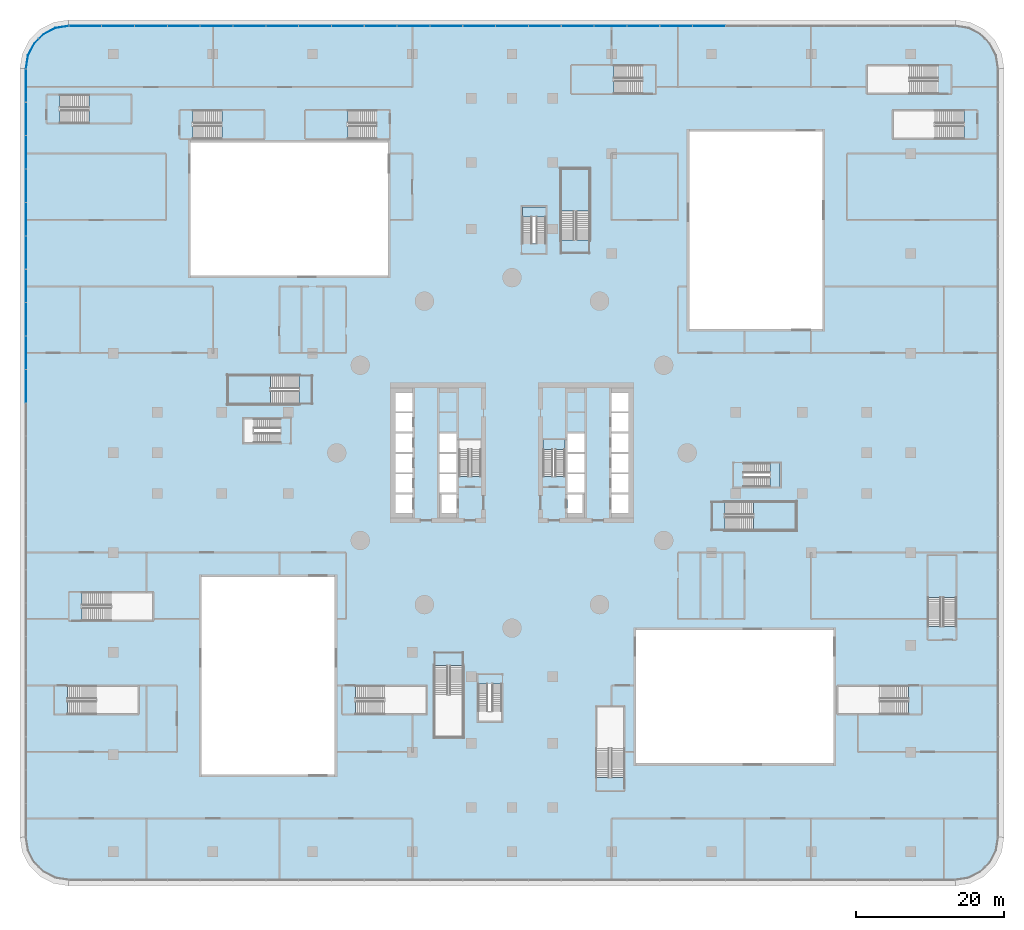
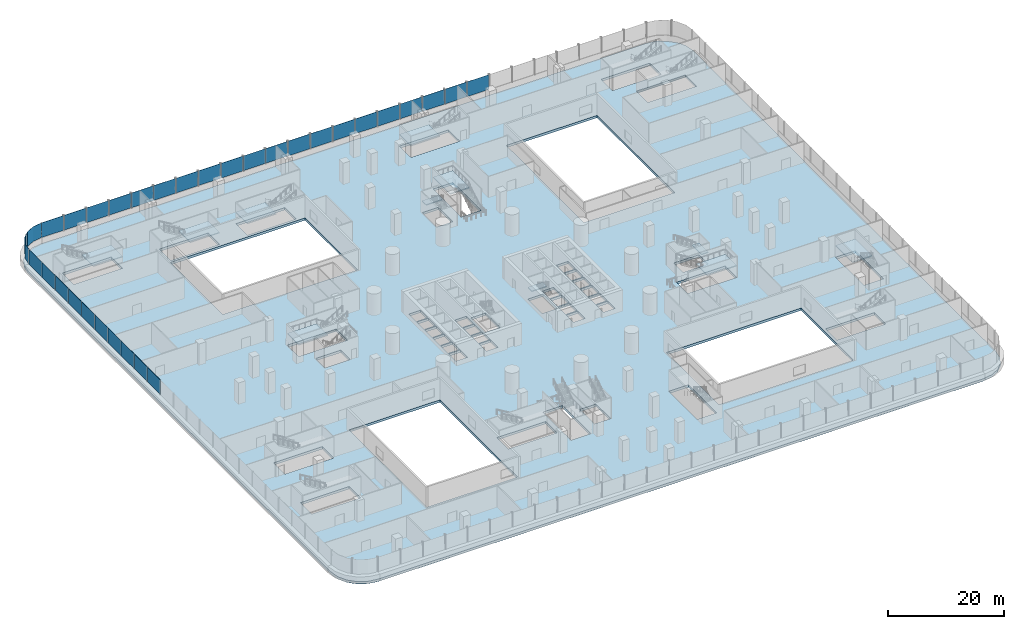
# One storey, part 22 of 44: 32 plates, 12 slabs, 14 elements without a shape of their own.
"""IFC4 building model written with IfcOpenShell, lengths in metres."""

import ifcopenshell
import ifcopenshell.guid

model = None  # the IFC model being written
_history = None  # IfcOwnerHistory: only IFC2X3 demands one
_inside = {}  # id of a spatial element -> (the spatial element, [elements in it])
_under = {}  # id of a project, library or spatial element -> (it, [spatial elements below it])
_declared = {}  # id of a project -> (the project, [libraries it declares])
_typed = {}  # id of a type object -> (the type object, [elements of that type])
_made_of = {}  # id of a material, layer set ... -> (it, [elements and type objects made of it])


def new_model(schema):
    """Start an empty IFC model of exactly this schema.

    Asked for "IFC4X3", IfcOpenShell would pick the latest addendum, in which some entities
    have other attributes; the version numbers below select the first issue.
    IFC2X3 requires an IfcOwnerHistory on every rooted entity: one is made here for all.
    """
    global model, _history
    if schema == "IFC4X3":
        model = ifcopenshell.file(schema_version=(4, 3, 0, 0))
    else:
        model = ifcopenshell.file(schema=schema)
    _inside.clear()
    _under.clear()
    _declared.clear()
    _typed.clear()
    _made_of.clear()
    _history = None
    if model.schema == "IFC2X3":
        org = make("IfcOrganization", Name="unknown")
        user = make(
            "IfcPersonAndOrganization",
            ThePerson=make("IfcPerson", FamilyName="unknown"),
            TheOrganization=org,
        )
        app = make(
            "IfcApplication",
            ApplicationDeveloper=org,
            Version="unknown",
            ApplicationFullName="unknown",
            ApplicationIdentifier="unknown",
        )
        _history = make(
            "IfcOwnerHistory",
            OwningUser=user,
            OwningApplication=app,
            ChangeAction="ADDED",
            CreationDate=0,
        )
    return model


def make(cls, **values):
    """One entity of the class cls with the attributes given. An attribute that is None is left unset."""
    return model.create_entity(
        cls, **{name: value for name, value in values.items() if value is not None}
    )


def rooted(cls, **values):
    """An entity with a GlobalId (a new one), such as an element, a storey or a relation."""
    return make(cls, GlobalId=ifcopenshell.guid.new(), OwnerHistory=_history, **values)


def si_unit(unit_type, name, prefix=None):
    """IfcSIUnit, for example si_unit("LENGTHUNIT", "METRE", prefix="MILLI")."""
    return make("IfcSIUnit", UnitType=unit_type, Prefix=prefix, Name=name)


def assignment(units):
    """IfcUnitAssignment: the units of a project."""
    return None if units is None else make("IfcUnitAssignment", Units=units)


def point(xyz):
    """IfcCartesianPoint."""
    return None if xyz is None else make("IfcCartesianPoint", Coordinates=xyz)


def direction(xyz):
    """IfcDirection."""
    return None if xyz is None else make("IfcDirection", DirectionRatios=xyz)


def frame(location, z_axis=None, x_axis=None):
    """IfcAxis2Placement3D, a coordinate frame: its origin and axes. An axis left out is left unset."""
    return make(
        "IfcAxis2Placement3D",
        Location=point(location),
        Axis=direction(z_axis),
        RefDirection=direction(x_axis),
    )


def origin():
    """The frame at (0, 0, 0) with its axes left unset."""
    return frame((0.0, 0.0, 0.0))


def place(relative_to, where):
    """IfcLocalPlacement: puts the frame where relative to a parent placement (None: the world)."""
    return make(
        "IfcLocalPlacement", PlacementRelTo=relative_to, RelativePlacement=where
    )


def context(
    kind, dimensions, precision=None, world=None, true_north=None, identifier=None
):
    """IfcGeometricRepresentationContext, for example the 3D "Model" context."""
    return make(
        "IfcGeometricRepresentationContext",
        ContextIdentifier=identifier,
        ContextType=kind,
        CoordinateSpaceDimension=dimensions,
        Precision=precision,
        WorldCoordinateSystem=world,
        TrueNorth=true_north,
    )


def subcontext(parent, identifier, kind, view, scale=None):
    """IfcGeometricRepresentationSubContext, for example "Body" below "Model"."""
    return make(
        "IfcGeometricRepresentationSubContext",
        ContextIdentifier=identifier,
        ContextType=kind,
        ParentContext=parent,
        TargetScale=scale,
        TargetView=view,
    )


def project(units=None, contexts=None):
    """IfcProject with its units and contexts."""
    return rooted(
        "IfcProject",
        Name="project",
        RepresentationContexts=contexts,
        UnitsInContext=assignment(units),
    )


def spatial(cls, under=None, at=None, **own):
    """A site, building, storey or space (cls), placed at a placement, below another one or the project."""
    s = rooted(cls, ObjectPlacement=at, **own)
    if under is not None:
        _under.setdefault(under.id(), (under, []))[1].append(s)
    return s


def polyline(points):
    """IfcPolyline through the points."""
    return make("IfcPolyline", Points=[point(p) for p in points])


def outline(outer, holes=None, kind="AREA"):
    """IfcArbitraryClosedProfileDef: a profile drawn as a closed curve; with holes, ...WithVoids."""
    if holes is None:
        return make("IfcArbitraryClosedProfileDef", ProfileType=kind, OuterCurve=outer)
    return make(
        "IfcArbitraryProfileDefWithVoids",
        ProfileType=kind,
        OuterCurve=outer,
        InnerCurves=holes,
    )


def extrude(swept, where, along, depth):
    """IfcExtrudedAreaSolid: the profile swept, set in the frame where, extruded along a direction by depth."""
    return make(
        "IfcExtrudedAreaSolid",
        SweptArea=swept,
        Position=where,
        ExtrudedDirection=direction(along),
        Depth=depth,
    )


def shape(context_of_items, identifier, shape_type, items):
    """IfcShapeRepresentation: the items that make up one representation, for example the "Body"."""
    return make(
        "IfcShapeRepresentation",
        ContextOfItems=context_of_items,
        RepresentationIdentifier=identifier,
        RepresentationType=shape_type,
        Items=items,
    )


def material(Name=None, Category=None):
    """IfcMaterial."""
    return make("IfcMaterial", Name=Name, Category=Category)


def layer(
    of_material, thickness, ventilated=None, Name=None, Category=None, Priority=None
):
    """IfcMaterialLayer: one layer of a wall or slab, of a material (None: an air gap)."""
    return make(
        "IfcMaterialLayer",
        Material=of_material,
        LayerThickness=thickness,
        IsVentilated=ventilated,
        Name=Name,
        Category=Category,
        Priority=Priority,
    )


def layer_set(layers, Name=None):
    """IfcMaterialLayerSet."""
    return make("IfcMaterialLayerSet", MaterialLayers=layers, LayerSetName=Name)


def made_of(thing, what):
    """Note that an element or type object is made of a material, layer set ...; save() writes the relation."""
    if what is not None:
        _made_of.setdefault(what.id(), (what, []))[1].append(thing)
    return thing


def type_object(cls, material=None, **own):
    """A type object (cls), such as IfcWallType, which elements share."""
    return made_of(rooted(cls, **own), material)


def element(
    cls,
    number,
    at=None,
    inside=None,
    cuts=None,
    type_object=None,
    material=None,
    context=None,
    identifier="Body",
    shape_type=None,
    held_by="IfcProductDefinitionShape",
    body=None,
    shapes=None,
    **own,
):
    """One element of the class cls, such as IfcWall. Its Tag is "e" and its number.

    at: its placement. inside: the storey or other place that contains it. cuts: it is an
    opening in that element (IfcRelVoidsElement). A single representation is given by context,
    identifier, shape_type and body (its items); several are given by shapes. held_by: the class
    of the entity that holds the representations. save() writes the other relations.
    """
    e = rooted(cls, Tag="e%d" % number, ObjectPlacement=at, **own)
    if body is not None:
        shapes = [shape(context, identifier, shape_type, body)]
    if shapes is not None:
        e.Representation = make(held_by, Representations=shapes)
    if inside is not None:
        _inside.setdefault(inside.id(), (inside, []))[1].append(e)
    if cuts is not None:
        rooted(
            "IfcRelVoidsElement", RelatingBuildingElement=cuts, RelatedOpeningElement=e
        )
    if type_object is not None:
        _typed.setdefault(type_object.id(), (type_object, []))[1].append(e)
    return made_of(e, material)


def aggregate(whole, parts):
    """IfcRelAggregates: a whole, such as a stair, and the parts it consists of."""
    return rooted("IfcRelAggregates", RelatingObject=whole, RelatedObjects=parts)


def save(model, path):
    """Write the relations noted so far, then the file.

    IfcRelAggregates (storeys below a building ...), IfcRelContainedInSpatialStructure (elements
    in a storey), IfcRelDefinesByType, IfcRelAssociatesMaterial and IfcRelDeclares: one each for
    every whole, place, type object, material and project.
    """
    for whole, parts in _under.values():
        aggregate(whole, parts)
    for where, things in _inside.values():
        rooted(
            "IfcRelContainedInSpatialStructure",
            RelatedElements=things,
            RelatingStructure=where,
        )
    for kind, things in _typed.values():
        rooted("IfcRelDefinesByType", RelatedObjects=things, RelatingType=kind)
    for what, things in _made_of.values():
        rooted("IfcRelAssociatesMaterial", RelatedObjects=things, RelatingMaterial=what)
    for by, libraries in _declared.values():
        rooted("IfcRelDeclares", RelatingContext=by, RelatedDefinitions=libraries)
    model.write(path)


model = new_model("IFC4")

# Units and contexts
model_context = context("Model", 3, precision=1e-05, world=origin(), true_north=direction((0.0, 1.0)))
body_context = subcontext(model_context, "Body", "Model", "MODEL_VIEW")
ifc_project = project(units=[si_unit("LENGTHUNIT", "METRE"), si_unit("AREAUNIT", "SQUARE_METRE"), si_unit("VOLUMEUNIT", "CUBIC_METRE"), si_unit("PLANEANGLEUNIT", "RADIAN"), si_unit("MASSUNIT", "GRAM", prefix="KILO")], contexts=[model_context])

# Site, building, storey
site_placement = place(None, origin())
site = spatial("IfcSite", under=ifc_project, at=site_placement, CompositionType="ELEMENT")
building_placement = place(site_placement, origin())
building = spatial("IfcBuilding", under=site, at=building_placement, Name="Tamarind Cross Interchange Tower", CompositionType="ELEMENT")
storey_placement = place(building_placement, frame((0.0, 0.0, 15.0)))
storey = spatial("IfcBuildingStorey", under=building, at=storey_placement, Name="L02", CompositionType="ELEMENT", Elevation=15.0)

# Slab
ifc_material_1 = material(Name="Concrete C40", Category="concrete")
ifc_layer_1 = layer(ifc_material_1, 0.5)
ifc_layer_set_1 = layer_set([ifc_layer_1], Name="Concrete C40")
slab_type_1 = type_object("IfcSlabType", Name="Post-tensioned flat slab 500 Concrete C40", PredefinedType="FLOOR", material=ifc_layer_set_1)
slab_1_placement = place(storey_placement, frame((0.0, 0.0, -0.5)))
element("IfcSlab", 1, at=slab_1_placement, inside=storey, type_object=slab_type_1, Name="Floor slab L02", PredefinedType="FLOOR", context=body_context, shape_type="SweptSolid", body=[
    extrude(outline(polyline([(-61.85400390625, -57.706298828125), (-60.0, -58.0), (60.0, -58.0), (61.85400390625, -57.706298828125), (63.526611328125, -56.85400390625), (64.85400390625, -55.526611328125), (65.706298828125, -53.85400390625), (66.0, -52.0), (66.0, 52.0), (65.706298828125, 53.85400390625), (64.85400390625, 55.526611328125), (63.526611328125, 56.85400390625), (61.85400390625, 57.706298828125), (60.0, 58.0), (-60.0, 58.0), (-61.85400390625, 57.706298828125), (-63.526611328125, 56.85400390625), (-64.85400390625, 55.526611328125), (-65.706298828125, 53.85400390625), (-66.0, 52.0), (-66.0, -52.0), (-65.706298828125, -53.85400390625), (-64.85400390625, -55.526611328125), (-63.526611328125, -56.85400390625), (-61.85400390625, -57.706298828125)]), holes=[polyline([(-50.5, -35.39990234375), (-60.18798828125, -35.39990234375), (-60.18798828125, -31.5), (-50.5, -31.5), (-50.5, -35.39990234375)]), polyline([(-11.5, -35.39990234375), (-21.18798828125, -35.39990234375), (-21.18798828125, -31.5), (-11.5, -31.5), (-11.5, -35.39990234375)]), polyline([(-42.0, -43.5), (-42.0, -16.800048828125), (-24.0, -16.800048828125), (-24.0, -43.5), (-42.0, -43.5)]), polyline([(-58.18798828125, -22.75), (-58.18798828125, -18.85009765625), (-48.5, -18.85009765625), (-48.5, -22.75), (-58.18798828125, -22.75)]), polyline([(-15.800048828125, -8.125), (-15.800048828125, -5.625), (-13.5, -5.625), (-13.5, -8.125), (-15.800048828125, -8.125)]), polyline([(-13.5, -5.375), (-15.800048828125, -5.375), (-15.800048828125, -2.875), (-13.5, -2.875), (-13.5, -5.375)]), polyline([(-15.800048828125, -2.625), (-15.800048828125, -0.125), (-13.5, -0.125), (-13.5, -2.625), (-15.800048828125, -2.625)]), polyline([(-15.800048828125, 0.125), (-15.800048828125, 2.625), (-13.5, 2.625), (-13.5, 0.125), (-15.800048828125, 0.125)]), polyline([(-31.31201171875, 1.39990234375), (-36.300048828125, 1.39990234375), (-36.300048828125, 4.60009765625), (-31.31201171875, 4.60009765625), (-31.31201171875, 1.39990234375)]), polyline([(-15.800048828125, 2.875), (-15.800048828125, 5.375), (-13.5, 5.375), (-13.5, 2.875), (-15.800048828125, 2.875)]), polyline([(-15.800048828125, 5.625), (-15.800048828125, 8.125), (-13.5, 8.125), (-13.5, 5.625), (-15.800048828125, 5.625)]), polyline([(-38.5, 10.5), (-28.81201171875, 10.5), (-28.81201171875, 6.60009765625), (-38.5, 6.60009765625), (-38.5, 10.5)]), polyline([(-43.5, 42.0), (-16.800048828125, 42.0), (-16.800048828125, 24.0), (-43.5, 24.0), (-43.5, 42.0)]), polyline([(-43.18798828125, 42.5), (-43.18798828125, 46.39990234375), (-33.5, 46.39990234375), (-33.5, 42.5), (-43.18798828125, 42.5)]), polyline([(-28.0, 46.39990234375), (-18.31201171875, 46.39990234375), (-18.31201171875, 42.5), (-28.0, 42.5), (-28.0, 46.39990234375)]), polyline([(-61.18798828125, 44.60009765625), (-61.18798828125, 48.5), (-51.5, 48.5), (-51.5, 44.60009765625), (-61.18798828125, 44.60009765625)]), polyline([(15.25, -43.93798828125), (11.35009765625, -43.93798828125), (11.35009765625, -34.25), (15.25, -34.25), (15.25, -43.93798828125)]), polyline([(-1.39990234375, -31.31201171875), (-1.39990234375, -36.300048828125), (-4.60009765625, -36.300048828125), (-4.60009765625, -31.31201171875), (-1.39990234375, -31.31201171875)]), polyline([(-10.5, -28.81201171875), (-6.60009765625, -28.81201171875), (-6.60009765625, -38.5), (-10.5, -38.5), (-10.5, -28.81201171875)]), polyline([(-9.800048828125, -8.125), (-9.800048828125, -5.625), (-7.5, -5.625), (-7.5, -8.125), (-9.800048828125, -8.125)]), polyline([(7.5, -5.625), (9.800048828125, -5.625), (9.800048828125, -8.125), (7.5, -8.125), (7.5, -5.625)]), polyline([(-9.800048828125, -5.375), (-9.800048828125, -2.875), (-7.5, -2.875), (-7.5, -5.375), (-9.800048828125, -5.375)]), polyline([(9.800048828125, -2.875), (9.800048828125, -5.375), (7.5, -5.375), (7.5, -2.875), (9.800048828125, -2.875)]), polyline([(-7.5, -2.625), (-9.800048828125, -2.625), (-9.800048828125, -0.125), (-7.5, -0.125), (-7.5, -2.625)]), polyline([(7.5, -0.125), (9.800048828125, -0.125), (9.800048828125, -2.625), (7.5, -2.625), (7.5, -0.125)]), polyline([(-4.199951171875, 1.800048828125), (-4.199951171875, -3.18798828125), (-7.14990234375, -3.18798828125), (-7.14990234375, 1.800048828125), (-4.199951171875, 1.800048828125)]), polyline([(7.14990234375, -3.18798828125), (4.199951171875, -3.18798828125), (4.199951171875, 1.800048828125), (7.14990234375, 1.800048828125), (7.14990234375, -3.18798828125)]), polyline([(-9.800048828125, 0.125), (-9.800048828125, 2.625), (-7.5, 2.625), (-7.5, 0.125), (-9.800048828125, 0.125)]), polyline([(7.5, 2.625), (9.800048828125, 2.625), (9.800048828125, 0.125), (7.5, 0.125), (7.5, 2.625)]), polyline([(1.39990234375, 33.300048828125), (4.60009765625, 33.300048828125), (4.60009765625, 28.31201171875), (1.39990234375, 28.31201171875), (1.39990234375, 33.300048828125)]), polyline([(10.5, 28.81201171875), (6.60009765625, 28.81201171875), (6.60009765625, 38.5), (10.5, 38.5), (10.5, 28.81201171875)]), polyline([(8.0, 52.5), (17.68798828125, 52.5), (17.68798828125, 48.60009765625), (8.0, 48.60009765625), (8.0, 52.5)]), polyline([(53.68798828125, -31.5), (53.68798828125, -35.39990234375), (44.0, -35.39990234375), (44.0, -31.5), (53.68798828125, -31.5)]), polyline([(16.800048828125, -24.0), (43.5, -24.0), (43.5, -42.0), (16.800048828125, -42.0), (16.800048828125, -24.0)]), polyline([(60.14990234375, -13.800048828125), (60.14990234375, -23.488037109375), (56.25, -23.488037109375), (56.25, -13.800048828125), (60.14990234375, -13.800048828125)]), polyline([(28.81201171875, -10.5), (28.81201171875, -6.60009765625), (38.5, -6.60009765625), (38.5, -10.5), (28.81201171875, -10.5)]), polyline([(15.800048828125, -5.625), (15.800048828125, -8.125), (13.5, -8.125), (13.5, -5.625), (15.800048828125, -5.625)]), polyline([(13.5, -2.875), (15.800048828125, -2.875), (15.800048828125, -5.375), (13.5, -5.375), (13.5, -2.875)]), polyline([(36.300048828125, -1.39990234375), (36.300048828125, -4.60009765625), (31.31201171875, -4.60009765625), (31.31201171875, -1.39990234375), (36.300048828125, -1.39990234375)]), polyline([(15.800048828125, -0.125), (15.800048828125, -2.625), (13.5, -2.625), (13.5, -0.125), (15.800048828125, -0.125)]), polyline([(13.5, 2.625), (15.800048828125, 2.625), (15.800048828125, 0.125), (13.5, 0.125), (13.5, 2.625)]), polyline([(15.800048828125, 5.375), (15.800048828125, 2.875), (13.5, 2.875), (13.5, 5.375), (15.800048828125, 5.375)]), polyline([(15.800048828125, 8.125), (15.800048828125, 5.625), (13.5, 5.625), (13.5, 8.125), (15.800048828125, 8.125)]), polyline([(24.0, 16.800048828125), (24.0, 43.5), (42.0, 43.5), (42.0, 16.800048828125), (24.0, 16.800048828125)]), polyline([(61.18798828125, 46.39990234375), (61.18798828125, 42.5), (51.5, 42.5), (51.5, 46.39990234375), (61.18798828125, 46.39990234375)]), polyline([(57.68798828125, 52.5), (57.68798828125, 48.60009765625), (48.0, 48.60009765625), (48.0, 52.5), (57.68798828125, 52.5)])]), origin(), (0.0, 0.0, 1.0), 0.5),
])

# Stair, slab
ifc_material_2 = material(Name="Public stair")
stair_type_1 = type_object("IfcStairType", Name="Public stair", PredefinedType="HALF_TURN_STAIR", material=ifc_material_2)
stair_1_placement = place(storey_placement, origin())
stair_1 = element("IfcStair", 2, at=stair_1_placement, inside=storey, type_object=stair_type_1, Name="L02 public stair PS-E", PredefinedType="HALF_TURN_STAIR")
ifc_layer_2 = layer(ifc_material_1, 0.199951171875)
ifc_layer_set_2 = layer_set([ifc_layer_2], Name="Concrete C40")
slab_type_2 = type_object("IfcSlabType", Name="Public stair landing", PredefinedType="LANDING", material=ifc_layer_set_2)
slab_2_placement = place(storey_placement, frame((0.0, 0.0, 2.300048828125)))
slab_2 = element("IfcSlab", 3, at=slab_2_placement, type_object=slab_type_2, Name="PS-E landing 1", PredefinedType="LANDING", context=body_context, shape_type="SweptSolid", body=[
    extrude(outline(polyline([(32.719970703125, -10.5), (38.5, -10.5), (38.5, -6.60009765625), (32.719970703125, -6.60009765625), (32.719970703125, -10.5)])), origin(), (0.0, 0.0, 1.0), 0.199951171875),
])
aggregate(stair_1, [slab_2])

stair_2_placement = place(storey_placement, origin())
stair_2 = element("IfcStair", 4, at=stair_2_placement, inside=storey, type_object=stair_type_1, Name="L02 public stair PS-W", PredefinedType="HALF_TURN_STAIR")
slab_3_placement = place(storey_placement, frame((0.0, 0.0, 2.300048828125)))
slab_3 = element("IfcSlab", 5, at=slab_3_placement, type_object=slab_type_2, Name="PS-W landing 1", PredefinedType="LANDING", context=body_context, shape_type="SweptSolid", body=[
    extrude(outline(polyline([(-32.719970703125, 10.5), (-38.5, 10.5), (-38.5, 6.60009765625), (-32.719970703125, 6.60009765625), (-32.719970703125, 10.5)])), origin(), (0.0, 0.0, 1.0), 0.199951171875),
])
aggregate(stair_2, [slab_3])

stair_3_placement = place(storey_placement, origin())
stair_3 = element("IfcStair", 6, at=stair_3_placement, inside=storey, type_object=stair_type_1, Name="L02 public stair PS-N", PredefinedType="HALF_TURN_STAIR")
slab_4_placement = place(storey_placement, frame((0.0, 0.0, 2.300048828125)))
slab_4 = element("IfcSlab", 7, at=slab_4_placement, type_object=slab_type_2, Name="PS-N landing 1", PredefinedType="LANDING", context=body_context, shape_type="SweptSolid", body=[
    extrude(outline(polyline([(10.5, 32.719970703125), (10.5, 38.5), (6.60009765625, 38.5), (6.60009765625, 32.719970703125), (10.5, 32.719970703125)])), origin(), (0.0, 0.0, 1.0), 0.199951171875),
])
aggregate(stair_3, [slab_4])

stair_4_placement = place(storey_placement, origin())
stair_4 = element("IfcStair", 8, at=stair_4_placement, inside=storey, type_object=stair_type_1, Name="L02 exit stair XS-P03", PredefinedType="HALF_TURN_STAIR")
slab_5_placement = place(storey_placement, frame((0.0, 0.0, 2.300048828125)))
slab_5 = element("IfcSlab", 9, at=slab_5_placement, type_object=slab_type_2, Name="XS-P03 landing 1", PredefinedType="LANDING", context=body_context, shape_type="SweptSolid", body=[
    extrude(outline(polyline([(13.780029296875, 52.5), (8.0, 52.5), (8.0, 48.60009765625), (13.780029296875, 48.60009765625), (13.780029296875, 52.5)])), origin(), (0.0, 0.0, 1.0), 0.199951171875),
])
aggregate(stair_4, [slab_5])

stair_5_placement = place(storey_placement, origin())
stair_5 = element("IfcStair", 10, at=stair_5_placement, inside=storey, type_object=stair_type_1, Name="L02 exit stair XS-P04", PredefinedType="HALF_TURN_STAIR")
slab_6_placement = place(storey_placement, frame((0.0, 0.0, 2.300048828125)))
slab_6 = element("IfcSlab", 11, at=slab_6_placement, type_object=slab_type_2, Name="XS-P04 landing 1", PredefinedType="LANDING", context=body_context, shape_type="SweptSolid", body=[
    extrude(outline(polyline([(-39.280029296875, 42.5), (-33.5, 42.5), (-33.5, 46.39990234375), (-39.280029296875, 46.39990234375), (-39.280029296875, 42.5)])), origin(), (0.0, 0.0, 1.0), 0.199951171875),
])
aggregate(stair_5, [slab_6])

stair_6_placement = place(storey_placement, origin())
stair_6 = element("IfcStair", 12, at=stair_6_placement, inside=storey, type_object=stair_type_1, Name="L02 exit stair XS-P05", PredefinedType="HALF_TURN_STAIR")
slab_7_placement = place(storey_placement, frame((0.0, 0.0, 2.300048828125)))
slab_7 = element("IfcSlab", 13, at=slab_7_placement, type_object=slab_type_2, Name="XS-P05 landing 1", PredefinedType="LANDING", context=body_context, shape_type="SweptSolid", body=[
    extrude(outline(polyline([(-57.280029296875, 44.60009765625), (-51.5, 44.60009765625), (-51.5, 48.5), (-57.280029296875, 48.5), (-57.280029296875, 44.60009765625)])), origin(), (0.0, 0.0, 1.0), 0.199951171875),
])
aggregate(stair_6, [slab_7])

stair_7_placement = place(storey_placement, origin())
stair_7 = element("IfcStair", 14, at=stair_7_placement, inside=storey, type_object=stair_type_1, Name="L02 exit stair XS-P06", PredefinedType="HALF_TURN_STAIR")
slab_8_placement = place(storey_placement, frame((0.0, 0.0, 2.300048828125)))
slab_8 = element("IfcSlab", 15, at=slab_8_placement, type_object=slab_type_2, Name="XS-P06 landing 1", PredefinedType="LANDING", context=body_context, shape_type="SweptSolid", body=[
    extrude(outline(polyline([(-22.219970703125, 46.39990234375), (-28.0, 46.39990234375), (-28.0, 42.5), (-22.219970703125, 42.5), (-22.219970703125, 46.39990234375)])), origin(), (0.0, 0.0, 1.0), 0.199951171875),
])
aggregate(stair_7, [slab_8])

stair_8_placement = place(storey_placement, origin())
stair_8 = element("IfcStair", 16, at=stair_8_placement, inside=storey, type_object=stair_type_1, Name="L02 exit stair XS-P11", PredefinedType="HALF_TURN_STAIR")
slab_9_placement = place(storey_placement, frame((0.0, 0.0, 2.300048828125)))
slab_9 = element("IfcSlab", 17, at=slab_9_placement, type_object=slab_type_2, Name="XS-P11 landing 1", PredefinedType="LANDING", context=body_context, shape_type="SweptSolid", body=[
    extrude(outline(polyline([(60.14990234375, -19.580078125), (60.14990234375, -13.800048828125), (56.25, -13.800048828125), (56.25, -19.580078125), (60.14990234375, -19.580078125)])), origin(), (0.0, 0.0, 1.0), 0.199951171875),
])
aggregate(stair_8, [slab_9])

ifc_material_3 = material(Name="Exit stair")
stair_type_2 = type_object("IfcStairType", Name="Exit stair", PredefinedType="HALF_TURN_STAIR", material=ifc_material_3)
stair_9_placement = place(storey_placement, origin())
stair_9 = element("IfcStair", 18, at=stair_9_placement, inside=storey, type_object=stair_type_2, Name="L02 exit stair ST2", PredefinedType="HALF_TURN_STAIR")
ifc_layer_3 = layer(ifc_material_1, 0.199951171875)
ifc_layer_set_3 = layer_set([ifc_layer_3], Name="Concrete C40")
slab_type_3 = type_object("IfcSlabType", Name="Stair landing", PredefinedType="LANDING", material=ifc_layer_set_3)
slab_10_placement = place(storey_placement, frame((0.0, 0.0, 2.300048828125)))
slab_10 = element("IfcSlab", 19, at=slab_10_placement, type_object=slab_type_3, Name="ST2 landing 1", PredefinedType="LANDING", context=body_context, shape_type="SweptSolid", body=[
    extrude(outline(polyline([(7.14990234375, 0.43994140625), (7.14990234375, 1.800048828125), (4.199951171875, 1.800048828125), (4.199951171875, 0.43994140625), (7.14990234375, 0.43994140625)])), origin(), (0.0, 0.0, 1.0), 0.199951171875),
])
aggregate(stair_9, [slab_10])

stair_10_placement = place(storey_placement, origin())
stair_10 = element("IfcStair", 20, at=stair_10_placement, inside=storey, type_object=stair_type_2, Name="L02 exit stair ST3", PredefinedType="HALF_TURN_STAIR")
slab_11_placement = place(storey_placement, frame((0.0, 0.0, 2.300048828125)))
slab_11 = element("IfcSlab", 21, at=slab_11_placement, type_object=slab_type_3, Name="ST3 landing 1", PredefinedType="LANDING", context=body_context, shape_type="SweptSolid", body=[
    extrude(outline(polyline([(34.927978515625, -4.60009765625), (36.300048828125, -4.60009765625), (36.300048828125, -1.39990234375), (34.927978515625, -1.39990234375), (34.927978515625, -4.60009765625)])), origin(), (0.0, 0.0, 1.0), 0.199951171875),
])
aggregate(stair_10, [slab_11])

stair_11_placement = place(storey_placement, origin())
stair_11 = element("IfcStair", 22, at=stair_11_placement, inside=storey, type_object=stair_type_2, Name="L02 exit stair ST4", PredefinedType="HALF_TURN_STAIR")
slab_12_placement = place(storey_placement, frame((0.0, 0.0, 2.300048828125)))
slab_12 = element("IfcSlab", 23, at=slab_12_placement, type_object=slab_type_3, Name="ST4 landing 1", PredefinedType="LANDING", context=body_context, shape_type="SweptSolid", body=[
    extrude(outline(polyline([(4.60009765625, 31.927978515625), (4.60009765625, 33.300048828125), (1.39990234375, 33.300048828125), (1.39990234375, 31.927978515625), (4.60009765625, 31.927978515625)])), origin(), (0.0, 0.0, 1.0), 0.199951171875),
])
aggregate(stair_11, [slab_12])

# Curtain wall, plates
ifc_material_4 = material(Name="Aluminium 6063-T6", Category="aluminium")
ifc_layer_4 = layer(ifc_material_4, 0.199951171875)
ifc_layer_set_4 = layer_set([ifc_layer_4], Name="Aluminium 6063-T6")
curtain_wall_type = type_object("IfcCurtainWallType", Name="Podium shopfront and station curtain wall", PredefinedType="NOTDEFINED", material=ifc_layer_set_4)
curtain_wall_1_placement = place(storey_placement, origin())
curtain_wall_1 = element("IfcCurtainWall", 24, at=curtain_wall_1_placement, inside=storey, type_object=curtain_wall_type, Name="CWS-L02-02", PredefinedType="NOTDEFINED")
ifc_material_5 = material(Name="Toughened low-e glass 10+12+10", Category="glass")
ifc_layer_5 = layer(ifc_material_5, 0.031982421875)
ifc_layer_set_5 = layer_set([ifc_layer_5], Name="Toughened low-e glass 10+12+10")
plate_type = type_object("IfcPlateType", Name="Vision panel CW3", PredefinedType="CURTAIN_PANEL", material=ifc_layer_set_5)
plate_1_placement = place(storey_placement, frame((0.0, 0.0, 1.39990234375)))
plate_1 = element("IfcPlate", 25, at=plate_1_placement, type_object=plate_type, Name="CWP-L02-02-07", PredefinedType="CURTAIN_PANEL", context=body_context, shape_type="SweptSolid", body=[
    extrude(outline(polyline([(28.84130859375, 57.783935546875), (24.47802734375, 57.783935546875), (24.47802734375, 57.81591796875), (28.84130859375, 57.81591796875), (28.84130859375, 57.783935546875)])), origin(), (0.0, 0.0, 1.0), 3.10009765625),
])
plate_2_placement = place(storey_placement, frame((0.0, 0.0, 1.39990234375)))
plate_2 = element("IfcPlate", 26, at=plate_2_placement, type_object=plate_type, Name="CWP-L02-02-08", PredefinedType="CURTAIN_PANEL", context=body_context, shape_type="SweptSolid", body=[
    extrude(outline(polyline([(24.39794921875, 57.783935546875), (20.03466796875, 57.783935546875), (20.03466796875, 57.81591796875), (24.39794921875, 57.81591796875), (24.39794921875, 57.783935546875)])), origin(), (0.0, 0.0, 1.0), 3.10009765625),
])
plate_3_placement = place(storey_placement, frame((0.0, 0.0, 1.39990234375)))
plate_3 = element("IfcPlate", 27, at=plate_3_placement, type_object=plate_type, Name="CWP-L02-02-09", PredefinedType="CURTAIN_PANEL", context=body_context, shape_type="SweptSolid", body=[
    extrude(outline(polyline([(19.954833984375, 57.783935546875), (15.591552734375, 57.783935546875), (15.591552734375, 57.81591796875), (19.954833984375, 57.81591796875), (19.954833984375, 57.783935546875)])), origin(), (0.0, 0.0, 1.0), 3.10009765625),
])
plate_4_placement = place(storey_placement, frame((0.0, 0.0, 1.39990234375)))
plate_4 = element("IfcPlate", 28, at=plate_4_placement, type_object=plate_type, Name="CWP-L02-02-10", PredefinedType="CURTAIN_PANEL", context=body_context, shape_type="SweptSolid", body=[
    extrude(outline(polyline([(15.511474609375, 57.783935546875), (11.148193359375, 57.783935546875), (11.148193359375, 57.81591796875), (15.511474609375, 57.81591796875), (15.511474609375, 57.783935546875)])), origin(), (0.0, 0.0, 1.0), 3.10009765625),
])
plate_5_placement = place(storey_placement, frame((0.0, 0.0, 1.39990234375)))
plate_5 = element("IfcPlate", 29, at=plate_5_placement, type_object=plate_type, Name="CWP-L02-02-11", PredefinedType="CURTAIN_PANEL", context=body_context, shape_type="SweptSolid", body=[
    extrude(outline(polyline([(11.068115234375, 57.783935546875), (6.704833984375, 57.783935546875), (6.704833984375, 57.81591796875), (11.068115234375, 57.81591796875), (11.068115234375, 57.783935546875)])), origin(), (0.0, 0.0, 1.0), 3.10009765625),
])
plate_6_placement = place(storey_placement, frame((0.0, 0.0, 1.39990234375)))
plate_6 = element("IfcPlate", 30, at=plate_6_placement, type_object=plate_type, Name="CWP-L02-02-12", PredefinedType="CURTAIN_PANEL", context=body_context, shape_type="SweptSolid", body=[
    extrude(outline(polyline([(6.625, 57.783935546875), (2.26171875, 57.783935546875), (2.26171875, 57.81591796875), (6.625, 57.81591796875), (6.625, 57.783935546875)])), origin(), (0.0, 0.0, 1.0), 3.10009765625),
])
plate_7_placement = place(storey_placement, frame((0.0, 0.0, 1.39990234375)))
plate_7 = element("IfcPlate", 31, at=plate_7_placement, type_object=plate_type, Name="CWP-L02-02-13", PredefinedType="CURTAIN_PANEL", context=body_context, shape_type="SweptSolid", body=[
    extrude(outline(polyline([(2.181640625, 57.783935546875), (-2.181640625, 57.783935546875), (-2.181640625, 57.81591796875), (2.181640625, 57.81591796875), (2.181640625, 57.783935546875)])), origin(), (0.0, 0.0, 1.0), 3.10009765625),
])
plate_8_placement = place(storey_placement, frame((0.0, 0.0, 1.39990234375)))
plate_8 = element("IfcPlate", 32, at=plate_8_placement, type_object=plate_type, Name="CWP-L02-02-14", PredefinedType="CURTAIN_PANEL", context=body_context, shape_type="SweptSolid", body=[
    extrude(outline(polyline([(-2.26171875, 57.783935546875), (-6.625, 57.783935546875), (-6.625, 57.81591796875), (-2.26171875, 57.81591796875), (-2.26171875, 57.783935546875)])), origin(), (0.0, 0.0, 1.0), 3.10009765625),
])
plate_9_placement = place(storey_placement, frame((0.0, 0.0, 1.39990234375)))
plate_9 = element("IfcPlate", 33, at=plate_9_placement, type_object=plate_type, Name="CWP-L02-02-15", PredefinedType="CURTAIN_PANEL", context=body_context, shape_type="SweptSolid", body=[
    extrude(outline(polyline([(-6.704833984375, 57.783935546875), (-11.068115234375, 57.783935546875), (-11.068115234375, 57.81591796875), (-6.704833984375, 57.81591796875), (-6.704833984375, 57.783935546875)])), origin(), (0.0, 0.0, 1.0), 3.10009765625),
])
plate_10_placement = place(storey_placement, frame((0.0, 0.0, 1.39990234375)))
plate_10 = element("IfcPlate", 34, at=plate_10_placement, type_object=plate_type, Name="CWP-L02-02-16", PredefinedType="CURTAIN_PANEL", context=body_context, shape_type="SweptSolid", body=[
    extrude(outline(polyline([(-11.148193359375, 57.783935546875), (-15.511474609375, 57.783935546875), (-15.511474609375, 57.81591796875), (-11.148193359375, 57.81591796875), (-11.148193359375, 57.783935546875)])), origin(), (0.0, 0.0, 1.0), 3.10009765625),
])
plate_11_placement = place(storey_placement, frame((0.0, 0.0, 1.39990234375)))
plate_11 = element("IfcPlate", 35, at=plate_11_placement, type_object=plate_type, Name="CWP-L02-02-17", PredefinedType="CURTAIN_PANEL", context=body_context, shape_type="SweptSolid", body=[
    extrude(outline(polyline([(-15.591552734375, 57.783935546875), (-19.954833984375, 57.783935546875), (-19.954833984375, 57.81591796875), (-15.591552734375, 57.81591796875), (-15.591552734375, 57.783935546875)])), origin(), (0.0, 0.0, 1.0), 3.10009765625),
])
plate_12_placement = place(storey_placement, frame((0.0, 0.0, 1.39990234375)))
plate_12 = element("IfcPlate", 36, at=plate_12_placement, type_object=plate_type, Name="CWP-L02-02-18", PredefinedType="CURTAIN_PANEL", context=body_context, shape_type="SweptSolid", body=[
    extrude(outline(polyline([(-20.03466796875, 57.783935546875), (-24.39794921875, 57.783935546875), (-24.39794921875, 57.81591796875), (-20.03466796875, 57.81591796875), (-20.03466796875, 57.783935546875)])), origin(), (0.0, 0.0, 1.0), 3.10009765625),
])
plate_13_placement = place(storey_placement, frame((0.0, 0.0, 1.39990234375)))
plate_13 = element("IfcPlate", 37, at=plate_13_placement, type_object=plate_type, Name="CWP-L02-02-19", PredefinedType="CURTAIN_PANEL", context=body_context, shape_type="SweptSolid", body=[
    extrude(outline(polyline([(-24.47802734375, 57.783935546875), (-28.84130859375, 57.783935546875), (-28.84130859375, 57.81591796875), (-24.47802734375, 57.81591796875), (-24.47802734375, 57.783935546875)])), origin(), (0.0, 0.0, 1.0), 3.10009765625),
])
plate_14_placement = place(storey_placement, frame((0.0, 0.0, 1.39990234375)))
plate_14 = element("IfcPlate", 38, at=plate_14_placement, type_object=plate_type, Name="CWP-L02-02-20", PredefinedType="CURTAIN_PANEL", context=body_context, shape_type="SweptSolid", body=[
    extrude(outline(polyline([(-28.92138671875, 57.783935546875), (-33.28466796875, 57.783935546875), (-33.28466796875, 57.81591796875), (-28.92138671875, 57.81591796875), (-28.92138671875, 57.783935546875)])), origin(), (0.0, 0.0, 1.0), 3.10009765625),
])
plate_15_placement = place(storey_placement, frame((0.0, 0.0, 1.39990234375)))
plate_15 = element("IfcPlate", 39, at=plate_15_placement, type_object=plate_type, Name="CWP-L02-02-21", PredefinedType="CURTAIN_PANEL", context=body_context, shape_type="SweptSolid", body=[
    extrude(outline(polyline([(-33.364501953125, 57.783935546875), (-37.727783203125, 57.783935546875), (-37.727783203125, 57.81591796875), (-33.364501953125, 57.81591796875), (-33.364501953125, 57.783935546875)])), origin(), (0.0, 0.0, 1.0), 3.10009765625),
])
plate_16_placement = place(storey_placement, frame((0.0, 0.0, 1.39990234375)))
plate_16 = element("IfcPlate", 40, at=plate_16_placement, type_object=plate_type, Name="CWP-L02-02-22", PredefinedType="CURTAIN_PANEL", context=body_context, shape_type="SweptSolid", body=[
    extrude(outline(polyline([(-37.807861328125, 57.783935546875), (-42.171142578125, 57.783935546875), (-42.171142578125, 57.81591796875), (-37.807861328125, 57.81591796875), (-37.807861328125, 57.783935546875)])), origin(), (0.0, 0.0, 1.0), 3.10009765625),
])
plate_17_placement = place(storey_placement, frame((0.0, 0.0, 1.39990234375)))
plate_17 = element("IfcPlate", 41, at=plate_17_placement, type_object=plate_type, Name="CWP-L02-02-23", PredefinedType="CURTAIN_PANEL", context=body_context, shape_type="SweptSolid", body=[
    extrude(outline(polyline([(-42.251220703125, 57.783935546875), (-46.614501953125, 57.783935546875), (-46.614501953125, 57.81591796875), (-42.251220703125, 57.81591796875), (-42.251220703125, 57.783935546875)])), origin(), (0.0, 0.0, 1.0), 3.10009765625),
])
plate_18_placement = place(storey_placement, frame((0.0, 0.0, 1.39990234375)))
plate_18 = element("IfcPlate", 42, at=plate_18_placement, type_object=plate_type, Name="CWP-L02-02-24", PredefinedType="CURTAIN_PANEL", context=body_context, shape_type="SweptSolid", body=[
    extrude(outline(polyline([(-46.6943359375, 57.783935546875), (-51.0576171875, 57.783935546875), (-51.0576171875, 57.81591796875), (-46.6943359375, 57.81591796875), (-46.6943359375, 57.783935546875)])), origin(), (0.0, 0.0, 1.0), 3.10009765625),
])
plate_19_placement = place(storey_placement, frame((0.0, 0.0, 1.39990234375)))
plate_19 = element("IfcPlate", 43, at=plate_19_placement, type_object=plate_type, Name="CWP-L02-02-25", PredefinedType="CURTAIN_PANEL", context=body_context, shape_type="SweptSolid", body=[
    extrude(outline(polyline([(-51.1376953125, 57.783935546875), (-55.5009765625, 57.783935546875), (-55.5009765625, 57.81591796875), (-51.1376953125, 57.81591796875), (-51.1376953125, 57.783935546875)])), origin(), (0.0, 0.0, 1.0), 3.10009765625),
])
plate_20_placement = place(storey_placement, frame((0.0, 0.0, 1.39990234375)))
plate_20 = element("IfcPlate", 44, at=plate_20_placement, type_object=plate_type, Name="CWP-L02-02-26", PredefinedType="CURTAIN_PANEL", context=body_context, shape_type="SweptSolid", body=[
    extrude(outline(polyline([(-55.5810546875, 57.783935546875), (-59.9443359375, 57.783935546875), (-59.9443359375, 57.81591796875), (-55.5810546875, 57.81591796875), (-55.5810546875, 57.783935546875)])), origin(), (0.0, 0.0, 1.0), 3.10009765625),
])
aggregate(curtain_wall_1, [plate_1, plate_2, plate_3, plate_4, plate_5, plate_6, plate_7, plate_8, plate_9, plate_10, plate_11, plate_12, plate_13, plate_14, plate_15, plate_16, plate_17, plate_18, plate_19, plate_20])

curtain_wall_2_placement = place(storey_placement, origin())
curtain_wall_2 = element("IfcCurtainWall", 45, at=curtain_wall_2_placement, inside=storey, type_object=curtain_wall_type, Name="CWS-L02-03", PredefinedType="NOTDEFINED")
plate_21_placement = place(storey_placement, frame((0.0, 0.0, 1.39990234375)))
plate_21 = element("IfcPlate", 46, at=plate_21_placement, type_object=plate_type, Name="CWP-L02-03-00", PredefinedType="CURTAIN_PANEL", context=body_context, shape_type="SweptSolid", body=[
    extrude(outline(polyline([(-60.021240234375, 57.77783203125), (-61.78662109375, 57.498291015625), (-63.398193359375, 56.67724609375), (-64.00927734375, 56.06591796875), (-64.031982421875, 56.088623046875), (-63.417236328125, 56.703369140625), (-61.796630859375, 57.529052734375), (-60.0263671875, 57.8095703125), (-60.021240234375, 57.77783203125)])), origin(), (0.0, 0.0, 1.0), 3.10009765625),
])
plate_22_placement = place(storey_placement, frame((0.0, 0.0, 1.39990234375)))
plate_22 = element("IfcPlate", 47, at=plate_22_placement, type_object=plate_type, Name="CWP-L02-03-01", PredefinedType="CURTAIN_PANEL", context=body_context, shape_type="SweptSolid", body=[
    extrude(outline(polyline([(-64.06591796875, 56.00927734375), (-64.67724609375, 55.398193359375), (-65.498291015625, 53.78662109375), (-65.77783203125, 52.021240234375), (-65.8095703125, 52.0263671875), (-65.529052734375, 53.796630859375), (-64.703369140625, 55.417236328125), (-64.088623046875, 56.031982421875), (-64.06591796875, 56.00927734375)])), origin(), (0.0, 0.0, 1.0), 3.10009765625),
])
aggregate(curtain_wall_2, [plate_21, plate_22])

curtain_wall_3_placement = place(storey_placement, origin())
curtain_wall_3 = element("IfcCurtainWall", 48, at=curtain_wall_3_placement, inside=storey, type_object=curtain_wall_type, Name="CWS-L02-04", PredefinedType="NOTDEFINED")
plate_23_placement = place(storey_placement, frame((0.0, 0.0, 1.39990234375)))
plate_23 = element("IfcPlate", 49, at=plate_23_placement, type_object=plate_type, Name="CWP-L02-04-00", PredefinedType="CURTAIN_PANEL", context=body_context, shape_type="SweptSolid", body=[
    extrude(outline(polyline([(-65.783935546875, 51.9443359375), (-65.783935546875, 47.50390625), (-65.81591796875, 47.50390625), (-65.81591796875, 51.9443359375), (-65.783935546875, 51.9443359375)])), origin(), (0.0, 0.0, 1.0), 3.10009765625),
])
plate_24_placement = place(storey_placement, frame((0.0, 0.0, 1.39990234375)))
plate_24 = element("IfcPlate", 50, at=plate_24_placement, type_object=plate_type, Name="CWP-L02-04-01", PredefinedType="CURTAIN_PANEL", context=body_context, shape_type="SweptSolid", body=[
    extrude(outline(polyline([(-65.783935546875, 47.423828125), (-65.783935546875, 42.9833984375), (-65.81591796875, 42.9833984375), (-65.81591796875, 47.423828125), (-65.783935546875, 47.423828125)])), origin(), (0.0, 0.0, 1.0), 3.10009765625),
])
plate_25_placement = place(storey_placement, frame((0.0, 0.0, 1.39990234375)))
plate_25 = element("IfcPlate", 51, at=plate_25_placement, type_object=plate_type, Name="CWP-L02-04-02", PredefinedType="CURTAIN_PANEL", context=body_context, shape_type="SweptSolid", body=[
    extrude(outline(polyline([(-65.783935546875, 42.903564453125), (-65.783935546875, 38.463134765625), (-65.81591796875, 38.463134765625), (-65.81591796875, 42.903564453125), (-65.783935546875, 42.903564453125)])), origin(), (0.0, 0.0, 1.0), 3.10009765625),
])
plate_26_placement = place(storey_placement, frame((0.0, 0.0, 1.39990234375)))
plate_26 = element("IfcPlate", 52, at=plate_26_placement, type_object=plate_type, Name="CWP-L02-04-03", PredefinedType="CURTAIN_PANEL", context=body_context, shape_type="SweptSolid", body=[
    extrude(outline(polyline([(-65.783935546875, 38.383056640625), (-65.783935546875, 33.94287109375), (-65.81591796875, 33.94287109375), (-65.81591796875, 38.383056640625), (-65.783935546875, 38.383056640625)])), origin(), (0.0, 0.0, 1.0), 3.10009765625),
])
plate_27_placement = place(storey_placement, frame((0.0, 0.0, 1.39990234375)))
plate_27 = element("IfcPlate", 53, at=plate_27_placement, type_object=plate_type, Name="CWP-L02-04-04", PredefinedType="CURTAIN_PANEL", context=body_context, shape_type="SweptSolid", body=[
    extrude(outline(polyline([(-65.783935546875, 33.86279296875), (-65.783935546875, 29.42236328125), (-65.81591796875, 29.42236328125), (-65.81591796875, 33.86279296875), (-65.783935546875, 33.86279296875)])), origin(), (0.0, 0.0, 1.0), 3.10009765625),
])
plate_28_placement = place(storey_placement, frame((0.0, 0.0, 1.39990234375)))
plate_28 = element("IfcPlate", 54, at=plate_28_placement, type_object=plate_type, Name="CWP-L02-04-05", PredefinedType="CURTAIN_PANEL", context=body_context, shape_type="SweptSolid", body=[
    extrude(outline(polyline([(-65.783935546875, 29.342529296875), (-65.783935546875, 24.902099609375), (-65.81591796875, 24.902099609375), (-65.81591796875, 29.342529296875), (-65.783935546875, 29.342529296875)])), origin(), (0.0, 0.0, 1.0), 3.10009765625),
])
plate_29_placement = place(storey_placement, frame((0.0, 0.0, 1.39990234375)))
plate_29 = element("IfcPlate", 55, at=plate_29_placement, type_object=plate_type, Name="CWP-L02-04-06", PredefinedType="CURTAIN_PANEL", context=body_context, shape_type="SweptSolid", body=[
    extrude(outline(polyline([(-65.783935546875, 24.822021484375), (-65.783935546875, 20.381591796875), (-65.81591796875, 20.381591796875), (-65.81591796875, 24.822021484375), (-65.783935546875, 24.822021484375)])), origin(), (0.0, 0.0, 1.0), 3.10009765625),
])
plate_30_placement = place(storey_placement, frame((0.0, 0.0, 1.39990234375)))
plate_30 = element("IfcPlate", 56, at=plate_30_placement, type_object=plate_type, Name="CWP-L02-04-07", PredefinedType="CURTAIN_PANEL", context=body_context, shape_type="SweptSolid", body=[
    extrude(outline(polyline([(-65.783935546875, 20.3017578125), (-65.783935546875, 15.861328125), (-65.81591796875, 15.861328125), (-65.81591796875, 20.3017578125), (-65.783935546875, 20.3017578125)])), origin(), (0.0, 0.0, 1.0), 3.10009765625),
])
plate_31_placement = place(storey_placement, frame((0.0, 0.0, 1.39990234375)))
plate_31 = element("IfcPlate", 57, at=plate_31_placement, type_object=plate_type, Name="CWP-L02-04-08", PredefinedType="CURTAIN_PANEL", context=body_context, shape_type="SweptSolid", body=[
    extrude(outline(polyline([(-65.783935546875, 15.78125), (-65.783935546875, 11.3408203125), (-65.81591796875, 11.3408203125), (-65.81591796875, 15.78125), (-65.783935546875, 15.78125)])), origin(), (0.0, 0.0, 1.0), 3.10009765625),
])
plate_32_placement = place(storey_placement, frame((0.0, 0.0, 1.39990234375)))
plate_32 = element("IfcPlate", 58, at=plate_32_placement, type_object=plate_type, Name="CWP-L02-04-09", PredefinedType="CURTAIN_PANEL", context=body_context, shape_type="SweptSolid", body=[
    extrude(outline(polyline([(-65.783935546875, 11.260986328125), (-65.783935546875, 6.820556640625), (-65.81591796875, 6.820556640625), (-65.81591796875, 11.260986328125), (-65.783935546875, 11.260986328125)])), origin(), (0.0, 0.0, 1.0), 3.10009765625),
])
aggregate(curtain_wall_3, [plate_23, plate_24, plate_25, plate_26, plate_27, plate_28, plate_29, plate_30, plate_31, plate_32])

save(model, "model.ifc")
